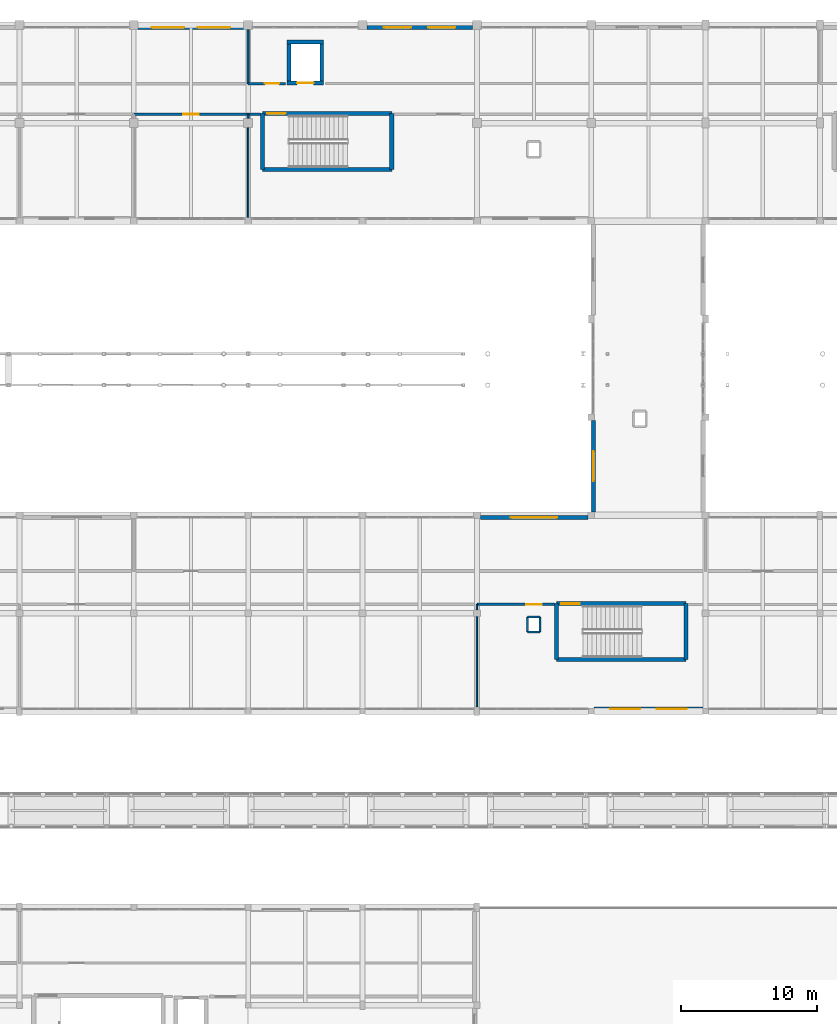
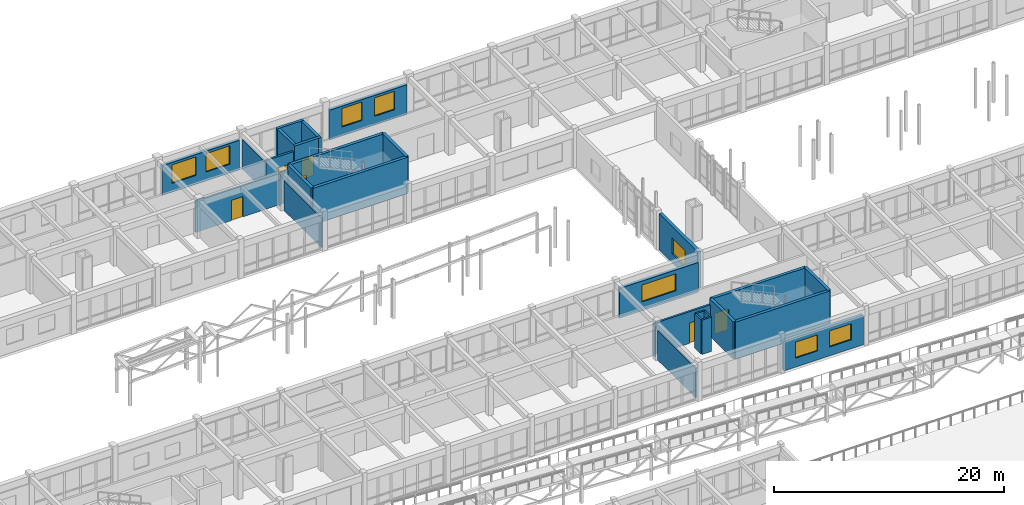
# One storey, part 77 of 89: 30 walls, 8 windows, 6 doors, 14 openings.
"""IFC4 building model written with IfcOpenShell, lengths in metres."""

from ifc_helpers import new_model, si_unit, direction, frame, frame_2d, origin, place, context, subcontext, project, spatial, rectangle, extrude, material, layer, layer_set, type_object, element, fill, save


model = new_model("IFC4")

# Units and contexts
model_context = context("Model", 3, precision=1e-05, world=origin(), true_north=direction((0.0, 1.0)))
body_context = subcontext(model_context, "Body", "Model", "MODEL_VIEW")
ifc_project = project(units=[si_unit("LENGTHUNIT", "METRE"), si_unit("AREAUNIT", "SQUARE_METRE"), si_unit("VOLUMEUNIT", "CUBIC_METRE"), si_unit("PLANEANGLEUNIT", "RADIAN"), si_unit("MASSUNIT", "GRAM", prefix="KILO")], contexts=[model_context])

# Site, building, storey
site_placement = place(None, origin())
site = spatial("IfcSite", under=ifc_project, at=site_placement, CompositionType="ELEMENT")
building_placement = place(site_placement, origin())
building = spatial("IfcBuilding", under=site, at=building_placement, Name="Malvenik Polytechnic", CompositionType="ELEMENT")
storey_placement = place(building_placement, frame((0.0, 0.0, 13.5)))
storey = spatial("IfcBuildingStorey", under=building, at=storey_placement, Name="L03", CompositionType="ELEMENT", Elevation=13.5)

# Wall, opening, door
ifc_material_1 = material(Name="Concrete C35/45", Category="concrete")
ifc_layer_1 = layer(ifc_material_1, 0.280029296875)
ifc_layer_set_1 = layer_set([ifc_layer_1], Name="Concrete C35/45")
wall_type_1 = type_object("IfcWallType", Name="ARC-CW-S280", PredefinedType="SHEAR", material=ifc_layer_set_1)
wall_1_placement = place(storey_placement, frame((55.93994140625, 125.35009765625, 0.0), z_axis=(0.0, 0.0, 1.0), x_axis=(-1.0, 0.0, 0.0)))
wall_1 = element("IfcWall", 1, at=wall_1_placement, inside=storey, type_object=wall_type_1, Name="Lift Shaft Shear Wall LS-02 L03 -Y", PredefinedType="SHEAR", context=body_context, shape_type="SweptSolid", body=[
    extrude(rectangle(XDim=2.679931640625, YDim=0.280029296875, at=frame_2d((1.33984375, 0.0))), origin(), (0.0, 0.0, 1.0), 3.8798828125),
])
opening_1_placement = place(wall_1_placement, frame((0.739990234375, 0.0, 0.0)))
opening_1 = element("IfcOpeningElement", 2, at=opening_1_placement, cuts=wall_1, Name="Opening LD-02", PredefinedType="OPENING", context=body_context, shape_type="SweptSolid", body=[
    extrude(rectangle(XDim=1.199951171875, YDim=2.14990234375, at=frame_2d((0.60009765625, 1.074951171875))), frame((0.0, 0.14990234375, 0.0), z_axis=(0.0, -1.0, 0.0), x_axis=(1.0, 0.0, 0.0)), (0.0, 0.0, 1.0), 0.300048828125),
])
ifc_material_2 = material(Name="Stainless steel fire-rated sliding lift landing door", Category="steel")
door_type_1 = type_object("IfcDoorType", Name="ARC-LDR-LD-02", OperationType="NOTDEFINED", PredefinedType="DOOR", material=ifc_material_2)
door_1_placement = place(opening_1_placement, origin())
door_1 = element("IfcDoor", 3, at=door_1_placement, inside=storey, type_object=door_type_1, Name="Lift Sliding Landing Door LS-02 L03", OperationType="DOUBLE_DOOR_SLIDING", OverallHeight=2.14990234375, OverallWidth=1.199951171875, PredefinedType="DOOR", context=body_context, shape_type="SweptSolid", body=[
    extrude(rectangle(XDim=1.199951171875, YDim=2.14990234375, at=frame_2d((0.60009765625, 1.074951171875))), frame((0.0, 0.02490234375, 0.0), z_axis=(0.0, -1.0, 0.0), x_axis=(1.0, 0.0, 0.0)), (0.0, 0.0, 1.0), 0.050048828125),
])
fill(opening_1, door_1)

# Walls
wall_2_placement = place(storey_placement, frame((53.260009765625, 128.35009765625, 0.0), z_axis=(0.0, 0.0, 1.0), x_axis=(1.0, 0.0, 0.0)))
element("IfcWall", 4, at=wall_2_placement, inside=storey, type_object=wall_type_1, Name="Lift Shaft Shear Wall LS-02 L03 +Y", PredefinedType="SHEAR", context=body_context, shape_type="SweptSolid", body=[
    extrude(rectangle(XDim=2.679931640625, YDim=0.280029296875, at=frame_2d((1.33984375, 0.0))), origin(), (0.0, 0.0, 1.0), 3.8798828125),
])
for number, where, z_axis, x_axis, name in (
    (5, (53.39990234375, 125.2099609375, 0.0), (0.0, 0.0, 1.0), (0.0, 1.0, 0.0), "Lift Shaft Shear Wall LS-02 L03 -X"),
    (6, (55.800048828125, 128.489990234375, 0.0), (0.0, 0.0, 1.0), (0.0, -1.0, 0.0), "Lift Shaft Shear Wall LS-02 L03 +X"),
):
    element("IfcWall", number, at=place(storey_placement, frame(where, z_axis=z_axis, x_axis=x_axis)), inside=storey, type_object=wall_type_1, Name=name, PredefinedType="SHEAR", context=body_context, shape_type="SweptSolid", body=[
        extrude(rectangle(XDim=3.280029296875, YDim=0.280029296875, at=frame_2d((1.64013671875, 0.0))), origin(), (0.0, 0.0, 1.0), 3.8798828125),
    ])
ifc_layer_2 = layer(ifc_material_1, 0.300048828125)
ifc_layer_set_2 = layer_set([ifc_layer_2], Name="Concrete C35/45")
wall_type_2 = type_object("IfcWallType", Name="ARC-CW-S300", PredefinedType="SHEAR", material=ifc_layer_set_2)
wall_3_placement = place(storey_placement, frame((51.449951171875, 119.0, 0.0), z_axis=(0.0, 0.0, 1.0), x_axis=(0.0, 1.0, 0.0)))
element("IfcWall", 7, at=wall_3_placement, inside=storey, type_object=wall_type_2, Name="Stair Core Shear Wall ST-02 L03 NEAR", PredefinedType="SHEAR", context=body_context, shape_type="SweptSolid", body=[
    extrude(rectangle(XDim=4.10009765625, YDim=0.300048828125, at=frame_2d((2.050048828125, 0.0))), origin(), (0.0, 0.0, 1.0), 3.8798828125),
])

# Wall, opening, door
wall_4_placement = place(storey_placement, frame((51.449951171875, 123.10009765625, 0.0), z_axis=(0.0, 0.0, 1.0), x_axis=(1.0, 0.0, 0.0)))
wall_4 = element("IfcWall", 8, at=wall_4_placement, inside=storey, type_object=wall_type_2, Name="Stair Core Shear Wall ST-02 L03 RGHT", PredefinedType="SHEAR", context=body_context, shape_type="SweptSolid", body=[
    extrude(rectangle(XDim=9.5, YDim=0.300048828125, at=frame_2d((4.75, 0.0))), origin(), (0.0, 0.0, 1.0), 3.8798828125),
])
opening_2_placement = place(wall_4_placement, frame((0.35009765625, 0.0, 0.0)))
opening_2 = element("IfcOpeningElement", 9, at=opening_2_placement, cuts=wall_4, Name="Opening SD-01", PredefinedType="OPENING", context=body_context, shape_type="SweptSolid", body=[
    extrude(rectangle(XDim=1.35009765625, YDim=2.199951171875, at=frame_2d((0.675048828125, 1.10009765625))), frame((0.0, 0.16015625, 0.0), z_axis=(0.0, -1.0, 0.0), x_axis=(1.0, 0.0, 0.0)), (0.0, 0.0, 1.0), 0.320068359375),
])
ifc_material_3 = material(Name="Fire-rated steel stair enclosure door", Category="steel")
door_type_2 = type_object("IfcDoorType", Name="ARC-IDR-SD-01", OperationType="NOTDEFINED", PredefinedType="DOOR", material=ifc_material_3)
door_2_placement = place(opening_2_placement, origin())
door_2 = element("IfcDoor", 10, at=door_2_placement, inside=storey, type_object=door_type_2, Name="Fire Stair Door ST-02 L03", OperationType="SINGLE_SWING_RIGHT", OverallHeight=2.199951171875, OverallWidth=1.35009765625, PredefinedType="DOOR", context=body_context, shape_type="SweptSolid", body=[
    extrude(rectangle(XDim=1.35009765625, YDim=2.199951171875, at=frame_2d((0.675048828125, 1.10009765625))), frame((0.0, 0.02490234375, 0.0), z_axis=(0.0, -1.0, 0.0), x_axis=(1.0, 0.0, 0.0)), (0.0, 0.0, 1.0), 0.050048828125),
])
fill(opening_2, door_2)

# Walls
wall_5_placement = place(storey_placement, frame((60.949951171875, 123.10009765625, 0.0), z_axis=(0.0, 0.0, 1.0), x_axis=(0.0, -1.0, 0.0)))
element("IfcWall", 11, at=wall_5_placement, inside=storey, type_object=wall_type_2, Name="Stair Core Shear Wall ST-02 L03 FAR", PredefinedType="SHEAR", context=body_context, shape_type="SweptSolid", body=[
    extrude(rectangle(XDim=4.10009765625, YDim=0.300048828125, at=frame_2d((2.050048828125, 0.0))), origin(), (0.0, 0.0, 1.0), 3.8798828125),
])
wall_6_placement = place(storey_placement, frame((60.949951171875, 119.0, 0.0), z_axis=(0.0, 0.0, 1.0), x_axis=(-1.0, 0.0, 0.0)))
element("IfcWall", 12, at=wall_6_placement, inside=storey, type_object=wall_type_2, Name="Stair Core Shear Wall ST-02 L03 LEFT", PredefinedType="SHEAR", context=body_context, shape_type="SweptSolid", body=[
    extrude(rectangle(XDim=9.5, YDim=0.300048828125, at=frame_2d((4.75, 0.0))), origin(), (0.0, 0.0, 1.0), 3.8798828125),
])
wall_7_placement = place(storey_placement, frame((73.050048828125, 83.0, 0.0), z_axis=(0.0, 0.0, 1.0), x_axis=(0.0, 1.0, 0.0)))
element("IfcWall", 13, at=wall_7_placement, inside=storey, type_object=wall_type_2, Name="Stair Core Shear Wall ST-05 L03 NEAR", PredefinedType="SHEAR", context=body_context, shape_type="SweptSolid", body=[
    extrude(rectangle(XDim=4.10009765625, YDim=0.300048828125, at=frame_2d((2.050048828125, 0.0))), origin(), (0.0, 0.0, 1.0), 3.93994140625),
])

# Wall, opening, door
wall_8_placement = place(storey_placement, frame((73.050048828125, 87.10009765625, 0.0), z_axis=(0.0, 0.0, 1.0), x_axis=(1.0, 0.0, 0.0)))
wall_8 = element("IfcWall", 14, at=wall_8_placement, inside=storey, type_object=wall_type_2, Name="Stair Core Shear Wall ST-05 L03 RGHT", PredefinedType="SHEAR", context=body_context, shape_type="SweptSolid", body=[
    extrude(rectangle(XDim=9.5, YDim=0.300048828125, at=frame_2d((4.75, 0.0))), origin(), (0.0, 0.0, 1.0), 3.93994140625),
])
opening_3_placement = place(wall_8_placement, frame((0.35009765625, 0.0, 0.0)))
opening_3 = element("IfcOpeningElement", 15, at=opening_3_placement, cuts=wall_8, Name="Opening SD-01", PredefinedType="OPENING", context=body_context, shape_type="SweptSolid", body=[
    extrude(rectangle(XDim=1.35009765625, YDim=2.199951171875, at=frame_2d((0.675048828125, 1.10009765625))), frame((0.0, 0.16015625, 0.0), z_axis=(0.0, -1.0, 0.0), x_axis=(1.0, 0.0, 0.0)), (0.0, 0.0, 1.0), 0.320068359375),
])
door_3_placement = place(opening_3_placement, origin())
door_3 = element("IfcDoor", 16, at=door_3_placement, inside=storey, type_object=door_type_2, Name="Fire Stair Door ST-05 L03", OperationType="SINGLE_SWING_LEFT", OverallHeight=2.199951171875, OverallWidth=1.35009765625, PredefinedType="DOOR", context=body_context, shape_type="SweptSolid", body=[
    extrude(rectangle(XDim=1.35009765625, YDim=2.199951171875, at=frame_2d((0.675048828125, 1.10009765625))), frame((0.0, 0.02490234375, 0.0), z_axis=(0.0, -1.0, 0.0), x_axis=(1.0, 0.0, 0.0)), (0.0, 0.0, 1.0), 0.050048828125),
])
fill(opening_3, door_3)

# Walls
wall_9_placement = place(storey_placement, frame((82.550048828125, 87.10009765625, 0.0), z_axis=(0.0, 0.0, 1.0), x_axis=(0.0, -1.0, 0.0)))
element("IfcWall", 17, at=wall_9_placement, inside=storey, type_object=wall_type_2, Name="Stair Core Shear Wall ST-05 L03 FAR", PredefinedType="SHEAR", context=body_context, shape_type="SweptSolid", body=[
    extrude(rectangle(XDim=4.10009765625, YDim=0.300048828125, at=frame_2d((2.050048828125, 0.0))), origin(), (0.0, 0.0, 1.0), 3.93994140625),
])
wall_10_placement = place(storey_placement, frame((82.550048828125, 83.0, 0.0), z_axis=(0.0, 0.0, 1.0), x_axis=(-1.0, 0.0, 0.0)))
element("IfcWall", 18, at=wall_10_placement, inside=storey, type_object=wall_type_2, Name="Stair Core Shear Wall ST-05 L03 LEFT", PredefinedType="SHEAR", context=body_context, shape_type="SweptSolid", body=[
    extrude(rectangle(XDim=9.5, YDim=0.300048828125, at=frame_2d((4.75, 0.0))), origin(), (0.0, 0.0, 1.0), 3.93994140625),
])

# Wall, opening, window
ifc_material_4 = material(Name="Brick masonry M15", Category="masonry")
ifc_layer_3 = layer(ifc_material_4, 0.31005859375)
ifc_layer_set_3 = layer_set([ifc_layer_3], Name="Brick masonry M15")
wall_type_3 = type_object("IfcWallType", Name="ARC-EW-310", PredefinedType="SOLIDWALL", material=ifc_layer_set_3)
wall_11_placement = place(storey_placement, frame((67.447998046875, 93.429931640625, 0.0), z_axis=(0.0, 0.0, 1.0), x_axis=(1.0, 0.0, 0.0)))
wall_11 = element("IfcWall", 19, at=wall_11_placement, inside=storey, type_object=wall_type_3, Name="External Facade Wall EW-03 L03 #380", PredefinedType="SOLIDWALL", context=body_context, shape_type="SweptSolid", body=[
    extrude(rectangle(XDim=7.904052734375, YDim=0.31005859375, at=frame_2d((3.9521484375, 0.0))), origin(), (0.0, 0.0, 1.0), 3.159912109375),
])
opening_4_placement = place(wall_11_placement, frame((2.251953125, 0.0, 0.949951171875)))
opening_4 = element("IfcOpeningElement", 20, at=opening_4_placement, cuts=wall_11, Name="Opening W-18", PredefinedType="OPENING", context=body_context, shape_type="SweptSolid", body=[
    extrude(rectangle(XDim=3.39990234375, YDim=1.800048828125, at=frame_2d((1.699951171875, 0.89990234375))), frame((0.0, 0.1650390625, 0.0), z_axis=(0.0, -1.0, 0.0), x_axis=(1.0, 0.0, 0.0)), (0.0, 0.0, 1.0), 0.330078125),
])
ifc_material_5 = material(Name="Thermally broken aluminium frame with low-E double glazing", Category="aluminium")
window_type_1 = type_object("IfcWindowType", Name="ARC-WIN-W-18", PartitioningType="SINGLE_PANEL", PredefinedType="WINDOW", material=ifc_material_5)
window_1_placement = place(opening_4_placement, origin())
window_1 = element("IfcWindow", 21, at=window_1_placement, inside=storey, type_object=window_type_1, Name="Punched Window W-18 L03 #381", OverallHeight=1.800048828125, OverallWidth=3.39990234375, PartitioningType="SINGLE_PANEL", PredefinedType="WINDOW", context=body_context, shape_type="SweptSolid", body=[
    extrude(rectangle(XDim=3.39990234375, YDim=1.800048828125, at=frame_2d((1.699951171875, 0.89990234375))), frame((0.0, 0.030029296875, 0.0), z_axis=(0.0, -1.0, 0.0), x_axis=(1.0, 0.0, 0.0)), (0.0, 0.0, 1.0), 0.06005859375),
])
fill(opening_4, window_1)

wall_12_placement = place(storey_placement, frame((75.77001953125, 93.847900390625, 0.0), z_axis=(0.0, 0.0, 1.0), x_axis=(0.0, 1.0, 0.0)))
wall_12 = element("IfcWall", 22, at=wall_12_placement, inside=storey, type_object=wall_type_3, Name="External Facade Wall EW-03 L03 #381", PredefinedType="SOLIDWALL", context=body_context, shape_type="SweptSolid", body=[
    extrude(rectangle(XDim=6.7041015625, YDim=0.31005859375, at=frame_2d((3.35205078125, 0.0))), origin(), (0.0, 0.0, 1.0), 3.860107421875),
])
opening_5_placement = place(wall_12_placement, frame((2.251953125, 0.0, 0.949951171875)))
opening_5 = element("IfcOpeningElement", 23, at=opening_5_placement, cuts=wall_12, Name="Opening W-19", PredefinedType="OPENING", context=body_context, shape_type="SweptSolid", body=[
    extrude(rectangle(XDim=2.199951171875, YDim=1.699951171875, at=frame_2d((1.10009765625, 0.85009765625))), frame((0.0, 0.1650390625, 0.0), z_axis=(0.0, -1.0, 0.0), x_axis=(1.0, 0.0, 0.0)), (0.0, 0.0, 1.0), 0.330078125),
])
window_type_2 = type_object("IfcWindowType", Name="ARC-WIN-W-19", PartitioningType="SINGLE_PANEL", PredefinedType="WINDOW", material=ifc_material_5)
window_2_placement = place(opening_5_placement, origin())
window_2 = element("IfcWindow", 24, at=window_2_placement, inside=storey, type_object=window_type_2, Name="Punched Window W-19 L03 #382", OverallHeight=1.699951171875, OverallWidth=2.199951171875, PartitioningType="SINGLE_PANEL", PredefinedType="WINDOW", context=body_context, shape_type="SweptSolid", body=[
    extrude(rectangle(XDim=2.199951171875, YDim=1.699951171875, at=frame_2d((1.10009765625, 0.85009765625))), frame((0.0, 0.030029296875, 0.0), z_axis=(0.0, -1.0, 0.0), x_axis=(1.0, 0.0, 0.0)), (0.0, 0.0, 1.0), 0.06005859375),
])
fill(opening_5, window_2)

# Wall, openings, windows
wall_13_placement = place(storey_placement, frame((42.322998046875, 129.429931640625, 0.0), z_axis=(0.0, 0.0, 1.0), x_axis=(1.0, 0.0, 0.0)))
wall_13 = element("IfcWall", 25, at=wall_13_placement, inside=storey, type_object=wall_type_3, Name="External Facade Wall EW-03 L03 #390", PredefinedType="SOLIDWALL", context=body_context, shape_type="SweptSolid", body=[
    extrude(rectangle(XDim=7.75390625, YDim=0.31005859375, at=frame_2d((3.876953125, 0.0))), origin(), (0.0, 0.0, 1.0), 3.159912109375),
])
opening_6_placement = place(wall_13_placement, frame((0.984619140625, 0.0, 0.949951171875)))
opening_6 = element("IfcOpeningElement", 26, at=opening_6_placement, cuts=wall_13, Name="Opening W-01", PredefinedType="OPENING", context=body_context, shape_type="SweptSolid", body=[
    extrude(rectangle(XDim=2.39990234375, YDim=1.9599609375, at=frame_2d((1.199951171875, 0.97998046875))), frame((0.0, 0.1650390625, 0.0), z_axis=(0.0, -1.0, 0.0), x_axis=(1.0, 0.0, 0.0)), (0.0, 0.0, 1.0), 0.330078125),
])
opening_7_placement = place(wall_13_placement, frame((4.369384765625, 0.0, 0.949951171875)))
opening_7 = element("IfcOpeningElement", 27, at=opening_7_placement, cuts=wall_13, Name="Opening W-01", PredefinedType="OPENING", context=body_context, shape_type="SweptSolid", body=[
    extrude(rectangle(XDim=2.39990234375, YDim=1.9599609375, at=frame_2d((1.199951171875, 0.97998046875))), frame((0.0, 0.1650390625, 0.0), z_axis=(0.0, -1.0, 0.0), x_axis=(1.0, 0.0, 0.0)), (0.0, 0.0, 1.0), 0.330078125),
])
window_type_3 = type_object("IfcWindowType", Name="ARC-WIN-W-01", PartitioningType="SINGLE_PANEL", PredefinedType="WINDOW", material=ifc_material_5)
window_3_placement = place(opening_6_placement, origin())
window_3 = element("IfcWindow", 28, at=window_3_placement, inside=storey, type_object=window_type_3, Name="Punched Window W-01 L03 #396", OverallHeight=1.9599609375, OverallWidth=2.39990234375, PartitioningType="SINGLE_PANEL", PredefinedType="WINDOW", context=body_context, shape_type="SweptSolid", body=[
    extrude(rectangle(XDim=2.39990234375, YDim=1.9599609375, at=frame_2d((1.199951171875, 0.97998046875))), frame((0.0, 0.030029296875, 0.0), z_axis=(0.0, -1.0, 0.0), x_axis=(1.0, 0.0, 0.0)), (0.0, 0.0, 1.0), 0.06005859375),
])
fill(opening_6, window_3)
window_4_placement = place(opening_7_placement, origin())
window_4 = element("IfcWindow", 29, at=window_4_placement, inside=storey, type_object=window_type_3, Name="Punched Window W-01 L03 #397", OverallHeight=1.9599609375, OverallWidth=2.39990234375, PartitioningType="SINGLE_PANEL", PredefinedType="WINDOW", context=body_context, shape_type="SweptSolid", body=[
    extrude(rectangle(XDim=2.39990234375, YDim=1.9599609375, at=frame_2d((1.199951171875, 0.97998046875))), frame((0.0, 0.030029296875, 0.0), z_axis=(0.0, -1.0, 0.0), x_axis=(1.0, 0.0, 0.0)), (0.0, 0.0, 1.0), 0.06005859375),
])
fill(opening_7, window_4)

wall_14_placement = place(storey_placement, frame((59.123046875, 129.429931640625, 0.0), z_axis=(0.0, 0.0, 1.0), x_axis=(1.0, 0.0, 0.0)))
wall_14 = element("IfcWall", 30, at=wall_14_placement, inside=storey, type_object=wall_type_3, Name="External Facade Wall EW-03 L03 #391", PredefinedType="SOLIDWALL", context=body_context, shape_type="SweptSolid", body=[
    extrude(rectangle(XDim=7.75390625, YDim=0.31005859375, at=frame_2d((3.876953125, 0.0))), origin(), (0.0, 0.0, 1.0), 3.159912109375),
])
opening_8_placement = place(wall_14_placement, frame((1.251220703125, 0.0, 0.949951171875)))
opening_8 = element("IfcOpeningElement", 31, at=opening_8_placement, cuts=wall_14, Name="Opening W-03", PredefinedType="OPENING", context=body_context, shape_type="SweptSolid", body=[
    extrude(rectangle(XDim=2.0, YDim=1.9599609375, at=frame_2d((1.0, 0.97998046875))), frame((0.0, 0.1650390625, 0.0), z_axis=(0.0, -1.0, 0.0), x_axis=(1.0, 0.0, 0.0)), (0.0, 0.0, 1.0), 0.330078125),
])
opening_9_placement = place(wall_14_placement, frame((4.502685546875, 0.0, 0.949951171875)))
opening_9 = element("IfcOpeningElement", 32, at=opening_9_placement, cuts=wall_14, Name="Opening W-03", PredefinedType="OPENING", context=body_context, shape_type="SweptSolid", body=[
    extrude(rectangle(XDim=2.0, YDim=1.9599609375, at=frame_2d((1.0, 0.97998046875))), frame((0.0, 0.1650390625, 0.0), z_axis=(0.0, -1.0, 0.0), x_axis=(1.0, 0.0, 0.0)), (0.0, 0.0, 1.0), 0.330078125),
])
window_type_4 = type_object("IfcWindowType", Name="ARC-WIN-W-03", PartitioningType="SINGLE_PANEL", PredefinedType="WINDOW", material=ifc_material_5)
window_5_placement = place(opening_8_placement, origin())
window_5 = element("IfcWindow", 33, at=window_5_placement, inside=storey, type_object=window_type_4, Name="Punched Window W-03 L03 #398", OverallHeight=1.9599609375, OverallWidth=2.0, PartitioningType="SINGLE_PANEL", PredefinedType="WINDOW", context=body_context, shape_type="SweptSolid", body=[
    extrude(rectangle(XDim=2.0, YDim=1.9599609375, at=frame_2d((1.0, 0.97998046875))), frame((0.0, 0.030029296875, 0.0), z_axis=(0.0, -1.0, 0.0), x_axis=(1.0, 0.0, 0.0)), (0.0, 0.0, 1.0), 0.06005859375),
])
fill(opening_8, window_5)
window_6_placement = place(opening_9_placement, origin())
window_6 = element("IfcWindow", 34, at=window_6_placement, inside=storey, type_object=window_type_4, Name="Punched Window W-03 L03 #399", OverallHeight=1.9599609375, OverallWidth=2.0, PartitioningType="SINGLE_PANEL", PredefinedType="WINDOW", context=body_context, shape_type="SweptSolid", body=[
    extrude(rectangle(XDim=2.0, YDim=1.9599609375, at=frame_2d((1.0, 0.97998046875))), frame((0.0, 0.030029296875, 0.0), z_axis=(0.0, -1.0, 0.0), x_axis=(1.0, 0.0, 0.0)), (0.0, 0.0, 1.0), 0.06005859375),
])
fill(opening_9, window_6)

wall_15_placement = place(storey_placement, frame((83.802001953125, 79.3701171875, 0.0), z_axis=(0.0, 0.0, 1.0), x_axis=(-1.0, 0.0, 0.0)))
wall_15 = element("IfcWall", 35, at=wall_15_placement, inside=storey, type_object=wall_type_3, Name="External Facade Wall EW-03 L03 #405", PredefinedType="SOLIDWALL", context=body_context, shape_type="SweptSolid", body=[
    extrude(rectangle(XDim=8.00390625, YDim=0.31005859375, at=frame_2d((4.001953125, 0.0))), origin(), (0.0, 0.0, 1.0), 3.159912109375),
])
opening_10_placement = place(wall_15_placement, frame((1.201416015625, 0.0, 0.949951171875)))
opening_10 = element("IfcOpeningElement", 36, at=opening_10_placement, cuts=wall_15, Name="Opening W-19", PredefinedType="OPENING", context=body_context, shape_type="SweptSolid", body=[
    extrude(rectangle(XDim=2.199951171875, YDim=1.699951171875, at=frame_2d((1.10009765625, 0.85009765625))), frame((0.0, 0.1650390625, 0.0), z_axis=(0.0, -1.0, 0.0), x_axis=(1.0, 0.0, 0.0)), (0.0, 0.0, 1.0), 0.330078125),
])
opening_11_placement = place(wall_15_placement, frame((4.6025390625, 0.0, 0.949951171875)))
opening_11 = element("IfcOpeningElement", 37, at=opening_11_placement, cuts=wall_15, Name="Opening W-19", PredefinedType="OPENING", context=body_context, shape_type="SweptSolid", body=[
    extrude(rectangle(XDim=2.199951171875, YDim=1.699951171875, at=frame_2d((1.10009765625, 0.85009765625))), frame((0.0, 0.1650390625, 0.0), z_axis=(0.0, -1.0, 0.0), x_axis=(1.0, 0.0, 0.0)), (0.0, 0.0, 1.0), 0.330078125),
])
window_7_placement = place(opening_10_placement, origin())
window_7 = element("IfcWindow", 38, at=window_7_placement, inside=storey, type_object=window_type_2, Name="Punched Window W-19 L03 #414", OverallHeight=1.699951171875, OverallWidth=2.199951171875, PartitioningType="SINGLE_PANEL", PredefinedType="WINDOW", context=body_context, shape_type="SweptSolid", body=[
    extrude(rectangle(XDim=2.199951171875, YDim=1.699951171875, at=frame_2d((1.10009765625, 0.85009765625))), frame((0.0, 0.030029296875, 0.0), z_axis=(0.0, -1.0, 0.0), x_axis=(1.0, 0.0, 0.0)), (0.0, 0.0, 1.0), 0.06005859375),
])
fill(opening_10, window_7)
window_8_placement = place(opening_11_placement, origin())
window_8 = element("IfcWindow", 39, at=window_8_placement, inside=storey, type_object=window_type_2, Name="Punched Window W-19 L03 #415", OverallHeight=1.699951171875, OverallWidth=2.199951171875, PartitioningType="SINGLE_PANEL", PredefinedType="WINDOW", context=body_context, shape_type="SweptSolid", body=[
    extrude(rectangle(XDim=2.199951171875, YDim=1.699951171875, at=frame_2d((1.10009765625, 0.85009765625))), frame((0.0, 0.030029296875, 0.0), z_axis=(0.0, -1.0, 0.0), x_axis=(1.0, 0.0, 0.0)), (0.0, 0.0, 1.0), 0.06005859375),
])
fill(opening_11, window_8)

# Wall, opening, door
ifc_material_6 = material(Name="Calcium silicate fire-rated blockwork 200mm", Category="masonry")
ifc_layer_4 = layer(ifc_material_6, 0.199951171875)
ifc_layer_set_4 = layer_set([ifc_layer_4], Name="Calcium silicate fire-rated blockwork 200mm")
wall_type_4 = type_object("IfcWallType", Name="ARC-FW-200", PredefinedType="SOLIDWALL", material=ifc_layer_set_4)
wall_16_placement = place(storey_placement, frame((50.39990234375, 125.300048828125, 0.0), z_axis=(0.0, 0.0, 1.0), x_axis=(1.0, 0.0, 0.0)))
wall_16 = element("IfcWall", 40, at=wall_16_placement, inside=storey, type_object=wall_type_4, Name="Interior Partition FW-02 L03 #304", PredefinedType="SOLIDWALL", context=body_context, shape_type="SweptSolid", body=[
    extrude(rectangle(XDim=2.72998046875, YDim=0.199951171875, at=frame_2d((1.364990234375, 0.0))), origin(), (0.0, 0.0, 1.0), 3.35498046875),
])
opening_12_placement = place(wall_16_placement, frame((1.22998046875, 0.0, 0.0)))
opening_12 = element("IfcOpeningElement", 41, at=opening_12_placement, cuts=wall_16, Name="Opening FD-05", PredefinedType="OPENING", context=body_context, shape_type="SweptSolid", body=[
    extrude(rectangle(XDim=1.050048828125, YDim=2.14990234375, at=frame_2d((0.52490234375, 1.074951171875))), frame((0.0, 0.10986328125, 0.0), z_axis=(0.0, -1.0, 0.0), x_axis=(1.0, 0.0, 0.0)), (0.0, 0.0, 1.0), 0.219970703125),
])
ifc_material_7 = material(Name="Fire-rated archive room door", Category="steel")
door_type_3 = type_object("IfcDoorType", Name="ARC-IDR-FD-05", OperationType="NOTDEFINED", PredefinedType="DOOR", material=ifc_material_7)
door_4_placement = place(opening_12_placement, origin())
door_4 = element("IfcDoor", 42, at=door_4_placement, inside=storey, type_object=door_type_3, Name="Interior Door FD-05 L03 #131", OperationType="SINGLE_SWING_LEFT", OverallHeight=2.14990234375, OverallWidth=1.050048828125, PredefinedType="DOOR", context=body_context, shape_type="SweptSolid", body=[
    extrude(rectangle(XDim=1.050048828125, YDim=2.14990234375, at=frame_2d((0.52490234375, 1.074951171875))), frame((0.0, 0.02490234375, 0.0), z_axis=(0.0, -1.0, 0.0), x_axis=(1.0, 0.0, 0.0)), (0.0, 0.0, 1.0), 0.050048828125),
])
fill(opening_12, door_4)

wall_17_placement = place(storey_placement, frame((72.909912109375, 87.050048828125, 0.0), z_axis=(0.0, 0.0, 1.0), x_axis=(-1.0, 0.0, 0.0)))
wall_17 = element("IfcWall", 43, at=wall_17_placement, inside=storey, type_object=wall_type_4, Name="Interior Partition FW-02 L03 #340", PredefinedType="SOLIDWALL", context=body_context, shape_type="SweptSolid", body=[
    extrude(rectangle(XDim=5.7099609375, YDim=0.199951171875, at=frame_2d((2.85498046875, 0.0))), origin(), (0.0, 0.0, 1.0), 3.35498046875),
])
opening_13_placement = place(wall_17_placement, frame((0.93505859375, 0.0, 0.0)))
opening_13 = element("IfcOpeningElement", 44, at=opening_13_placement, cuts=wall_17, Name="Opening FD-01", PredefinedType="OPENING", context=body_context, shape_type="SweptSolid", body=[
    extrude(rectangle(XDim=1.14990234375, YDim=2.14990234375, at=frame_2d((0.574951171875, 1.074951171875))), frame((0.0, 0.10986328125, 0.0), z_axis=(0.0, -1.0, 0.0), x_axis=(1.0, 0.0, 0.0)), (0.0, 0.0, 1.0), 0.219970703125),
])
ifc_material_8 = material(Name="Fire-rated timber acoustic corridor door", Category="wood")
door_type_4 = type_object("IfcDoorType", Name="ARC-IDR-FD-01", OperationType="NOTDEFINED", PredefinedType="DOOR", material=ifc_material_8)
door_5_placement = place(opening_13_placement, origin())
door_5 = element("IfcDoor", 45, at=door_5_placement, inside=storey, type_object=door_type_4, Name="Interior Door FD-01 L03 #144", OperationType="SINGLE_SWING_LEFT", OverallHeight=2.14990234375, OverallWidth=1.14990234375, PredefinedType="DOOR", context=body_context, shape_type="SweptSolid", body=[
    extrude(rectangle(XDim=1.14990234375, YDim=2.14990234375, at=frame_2d((0.574951171875, 1.074951171875))), frame((0.0, 0.02490234375, 0.0), z_axis=(0.0, -1.0, 0.0), x_axis=(1.0, 0.0, 0.0)), (0.0, 0.0, 1.0), 0.050048828125),
])
fill(opening_13, door_5)

# Walls
ifc_material_9 = material(Name="Lightweight gypsum partition 110mm", Category="gypsum")
ifc_layer_5 = layer(ifc_material_9, 0.110107421875)
ifc_layer_set_5 = layer_set([ifc_layer_5], Name="Lightweight gypsum partition 110mm")
wall_type_5 = type_object("IfcWallType", Name="ARC-PW-110", PredefinedType="PARTITIONING", material=ifc_layer_set_5)
wall_18_placement = place(storey_placement, frame((50.39990234375, 115.469970703125, 0.0), z_axis=(0.0, 0.0, 1.0), x_axis=(0.0, 1.0, 0.0)))
element("IfcWall", 46, at=wall_18_placement, inside=storey, type_object=wall_type_5, Name="Interior Partition PW-04I L03 #320", PredefinedType="PARTITIONING", context=body_context, shape_type="SweptSolid", body=[
    extrude(rectangle(XDim=6.5849609375, YDim=0.110107421875, at=frame_2d((3.29248046875, 0.0))), origin(), (0.0, 0.0, 1.0), 3.155029296875),
])
wall_19_placement = place(storey_placement, frame((67.199951171875, 86.669921875, 0.0), z_axis=(0.0, 0.0, 1.0), x_axis=(0.0, 1.0, 0.0)))
element("IfcWall", 47, at=wall_19_placement, inside=storey, type_object=wall_type_5, Name="Interior Partition PW-04I L03 #338", PredefinedType="PARTITIONING", context=body_context, shape_type="SweptSolid", body=[
    extrude(rectangle(XDim=0.380126953125, YDim=0.110107421875, at=frame_2d((0.18994140625, 0.0))), origin(), (0.0, 0.0, 1.0), 3.22509765625),
])
ifc_material_10 = material(Name="Metal-stud gypsum board partition 125mm", Category="gypsum")
ifc_layer_6 = layer(ifc_material_10, 0.125)
ifc_layer_set_6 = layer_set([ifc_layer_6], Name="Metal-stud gypsum board partition 125mm")
wall_type_6 = type_object("IfcWallType", Name="ARC-PW-125", PredefinedType="PARTITIONING", material=ifc_layer_set_6)
wall_20_placement = place(storey_placement, frame((67.199951171875, 79.52001953125, 0.0), z_axis=(0.0, 0.0, 1.0), x_axis=(0.0, 1.0, 0.0)))
element("IfcWall", 48, at=wall_20_placement, inside=storey, type_object=wall_type_6, Name="Interior Partition PW-03I L03 #337", PredefinedType="PARTITIONING", context=body_context, shape_type="SweptSolid", body=[
    extrude(rectangle(XDim=6.60986328125, YDim=0.125, at=frame_2d((3.304931640625, 0.0))), origin(), (0.0, 0.0, 1.0), 3.155029296875),
])
ifc_material_11 = material(Name="Acoustic metal-stud gypsum partition 140mm", Category="gypsum")
ifc_layer_7 = layer(ifc_material_11, 0.139892578125)
ifc_layer_set_7 = layer_set([ifc_layer_7], Name="Acoustic metal-stud gypsum partition 140mm")
wall_type_7 = type_object("IfcWallType", Name="ARC-PW-140", PredefinedType="PARTITIONING", material=ifc_layer_set_7)
wall_21_placement = place(storey_placement, frame((50.39990234375, 125.300048828125, 0.0), z_axis=(0.0, 0.0, 1.0), x_axis=(0.0, 1.0, 0.0)))
element("IfcWall", 49, at=wall_21_placement, inside=storey, type_object=wall_type_7, Name="Interior Partition PW-02I L03 #303", PredefinedType="PARTITIONING", context=body_context, shape_type="SweptSolid", body=[
    extrude(rectangle(XDim=3.954833984375, YDim=0.139892578125, at=frame_2d((1.9775390625, 0.0))), origin(), (0.0, 0.0, 1.0), 3.155029296875),
])
wall_22_placement = place(storey_placement, frame((50.39990234375, 122.7451171875, 0.0), z_axis=(0.0, 0.0, 1.0), x_axis=(0.0, 1.0, 0.0)))
element("IfcWall", 50, at=wall_22_placement, inside=storey, type_object=wall_type_7, Name="Interior Partition PW-02I L03 #321", PredefinedType="PARTITIONING", context=body_context, shape_type="SweptSolid", body=[
    extrude(rectangle(XDim=0.304931640625, YDim=0.139892578125, at=frame_2d((0.15234375, 0.0))), origin(), (0.0, 0.0, 1.0), 3.22509765625),
])
ifc_material_12 = material(Name="Double-stud acoustic gypsum board partition 160mm", Category="gypsum")
ifc_layer_8 = layer(ifc_material_12, 0.159912109375)
ifc_layer_set_8 = layer_set([ifc_layer_8], Name="Double-stud acoustic gypsum board partition 160mm")
wall_type_8 = type_object("IfcWallType", Name="ARC-PW-160", PredefinedType="PARTITIONING", material=ifc_layer_set_8)
for number, where, z_axis, x_axis, name in (
    (51, (70.919921875, 85.02001953125, 0.0), (0.0, 0.0, 1.0), (1.0, 0.0, 0.0), "Riser Shaft Enclosure L03 #42S"),
    (52, (71.830078125, 86.1298828125, 0.0), (0.0, 0.0, 1.0), (-1.0, 0.0, 0.0), "Riser Shaft Enclosure L03 #42N"),
):
    element("IfcWall", number, at=place(storey_placement, frame(where, z_axis=z_axis, x_axis=x_axis)), inside=storey, type_object=wall_type_8, Name=name, PredefinedType="PARTITIONING", context=body_context, shape_type="SweptSolid", body=[
        extrude(rectangle(XDim=0.91015625, YDim=0.159912109375, at=frame_2d((0.455078125, 0.0))), origin(), (0.0, 0.0, 1.0), 3.64990234375),
    ])
for number, where, z_axis, x_axis, name in (
    (53, (70.919921875, 86.1298828125, 0.0), (0.0, 0.0, 1.0), (0.0, -1.0, 0.0), "Riser Shaft Enclosure L03 #42W"),
    (54, (71.830078125, 85.02001953125, 0.0), (0.0, 0.0, 1.0), (0.0, 1.0, 0.0), "Riser Shaft Enclosure L03 #42E"),
):
    element("IfcWall", number, at=place(storey_placement, frame(where, z_axis=z_axis, x_axis=x_axis)), inside=storey, type_object=wall_type_8, Name=name, PredefinedType="PARTITIONING", context=body_context, shape_type="SweptSolid", body=[
        extrude(rectangle(XDim=1.10986328125, YDim=0.159912109375, at=frame_2d((0.554931640625, 0.0))), origin(), (0.0, 0.0, 1.0), 3.64990234375),
    ])

# Wall, opening, door
wall_23_placement = place(storey_placement, frame((50.39990234375, 123.050048828125, 0.0), z_axis=(0.0, 0.0, 1.0), x_axis=(-1.0, 0.0, 0.0)))
wall_23 = element("IfcWall", 55, at=wall_23_placement, inside=storey, type_object=wall_type_8, Name="Interior Partition PW-01I L03 #319", PredefinedType="PARTITIONING", context=body_context, shape_type="SweptSolid", body=[
    extrude(rectangle(XDim=8.39990234375, YDim=0.159912109375, at=frame_2d((4.199951171875, 0.0))), origin(), (0.0, 0.0, 1.0), 3.35498046875),
])
opening_14_placement = place(wall_23_placement, frame((3.625, 0.0, 0.0)))
opening_14 = element("IfcOpeningElement", 56, at=opening_14_placement, cuts=wall_23, Name="Opening FD-01", PredefinedType="OPENING", context=body_context, shape_type="SweptSolid", body=[
    extrude(rectangle(XDim=1.14990234375, YDim=2.14990234375, at=frame_2d((0.574951171875, 1.074951171875))), frame((0.0, 0.08984375, 0.0), z_axis=(0.0, -1.0, 0.0), x_axis=(1.0, 0.0, 0.0)), (0.0, 0.0, 1.0), 0.179931640625),
])
door_6_placement = place(opening_14_placement, origin())
door_6 = element("IfcDoor", 57, at=door_6_placement, inside=storey, type_object=door_type_4, Name="Interior Door FD-01 L03 #136", OperationType="SINGLE_SWING_LEFT", OverallHeight=2.14990234375, OverallWidth=1.14990234375, PredefinedType="DOOR", context=body_context, shape_type="SweptSolid", body=[
    extrude(rectangle(XDim=1.14990234375, YDim=2.14990234375, at=frame_2d((0.574951171875, 1.074951171875))), frame((0.0, 0.02490234375, 0.0), z_axis=(0.0, -1.0, 0.0), x_axis=(1.0, 0.0, 0.0)), (0.0, 0.0, 1.0), 0.050048828125),
])
fill(opening_14, door_6)

# Wall
wall_24_placement = place(storey_placement, frame((51.31005859375, 123.050048828125, 0.0), z_axis=(0.0, 0.0, 1.0), x_axis=(-1.0, 0.0, 0.0)))
element("IfcWall", 58, at=wall_24_placement, inside=storey, type_object=wall_type_8, Name="Interior Partition PW-01I L03 #323", PredefinedType="PARTITIONING", context=body_context, shape_type="SweptSolid", body=[
    extrude(rectangle(XDim=0.91015625, YDim=0.159912109375, at=frame_2d((0.455078125, 0.0))), origin(), (0.0, 0.0, 1.0), 3.35498046875),
])

save(model, "model.ifc")
